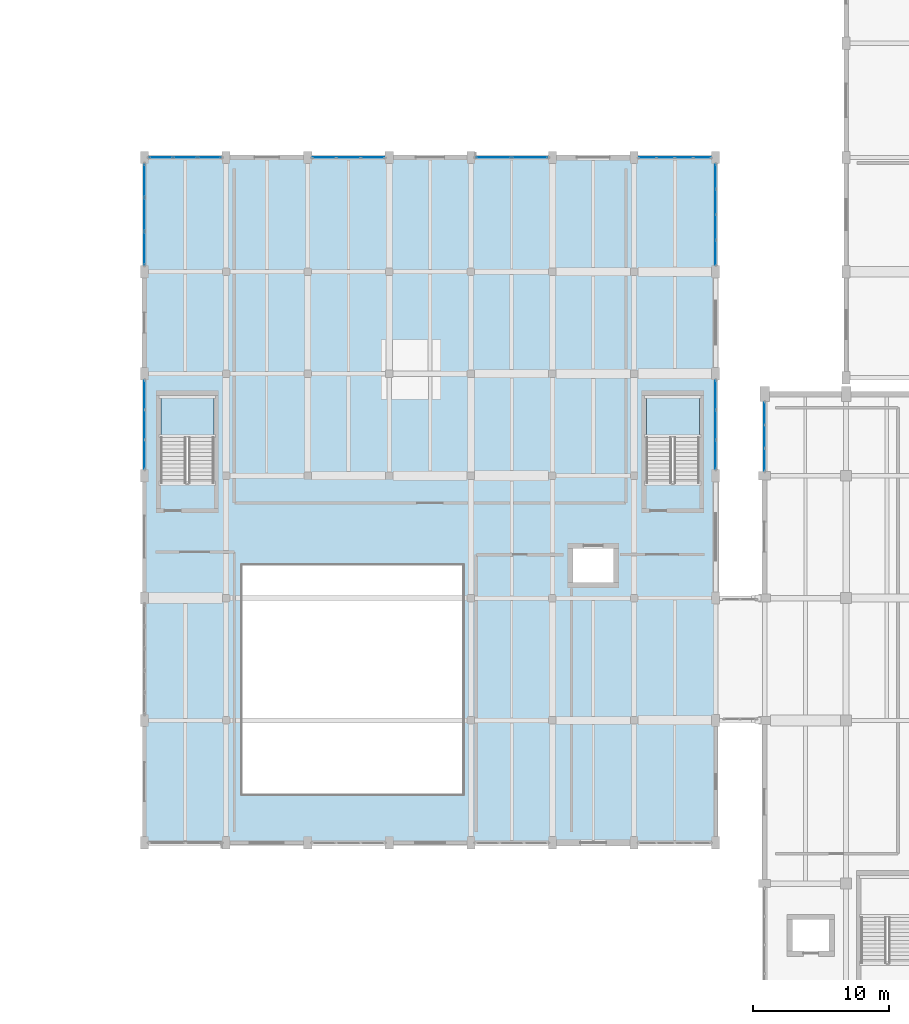
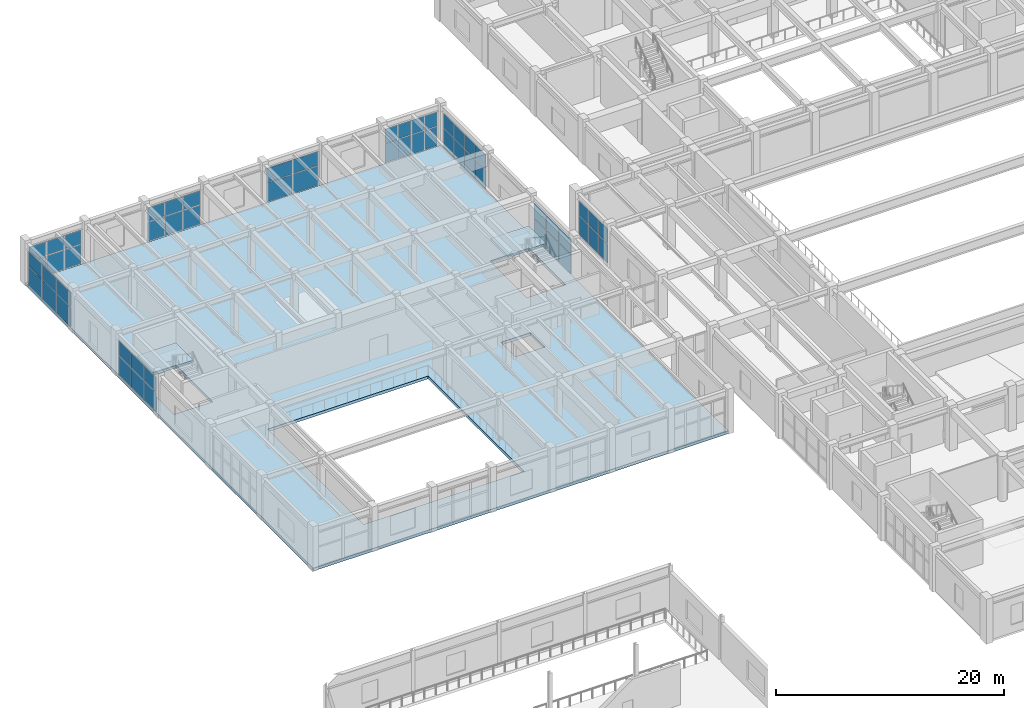
# One storey, part 64 of 96: 56 plates, 3 slabs, 11 elements without a shape of their own.
"""IFC4 building model written with IfcOpenShell, lengths in metres."""

from ifc_helpers import new_model, si_unit, direction, frame, origin, origin_2d, place, context, subcontext, project, spatial, polyline, rectangle, outline, extrude, material, layer, layer_set, type_object, element, aggregate, save


model = new_model("IFC4")

# Units and contexts
model_context = context("Model", 3, precision=1e-05, world=origin(), true_north=direction((0.0, 1.0)))
body_context = subcontext(model_context, "Body", "Model", "MODEL_VIEW")
ifc_project = project(units=[si_unit("LENGTHUNIT", "METRE"), si_unit("AREAUNIT", "SQUARE_METRE"), si_unit("VOLUMEUNIT", "CUBIC_METRE"), si_unit("PLANEANGLEUNIT", "RADIAN"), si_unit("MASSUNIT", "GRAM", prefix="KILO")], contexts=[model_context])

# Site, building, storey
site_placement = place(None, origin())
site = spatial("IfcSite", under=ifc_project, at=site_placement, CompositionType="ELEMENT")
building_placement = place(site_placement, origin())
building = spatial("IfcBuilding", under=site, at=building_placement, Name="Vaelkrest Opera House", CompositionType="ELEMENT")
storey_placement = place(building_placement, frame((0.0, 0.0, 5.39990234375)))
storey = spatial("IfcBuildingStorey", under=building, at=storey_placement, Name="L01", CompositionType="ELEMENT", Elevation=5.39990234375)

# Curtain wall, plates
ifc_material_1 = material(Name="Dark bronze anodized aluminium", Category="aluminium")
ifc_layer_1 = layer(ifc_material_1, 0.18994140625)
ifc_layer_set_1 = layer_set([ifc_layer_1], Name="Dark bronze anodized aluminium")
curtain_wall_type_1 = type_object("IfcCurtainWallType", Name="CW02", PredefinedType="NOTDEFINED", material=ifc_layer_set_1)
curtain_wall_1_placement = place(storey_placement, origin())
curtain_wall_1 = element("IfcCurtainWall", 1, at=curtain_wall_1_placement, inside=storey, type_object=curtain_wall_type_1, Name="Curtain wall CW-L01-027", PredefinedType="NOTDEFINED")
ifc_material_2 = material(Name="Double low-E insulated glazing", Category="glass")
ifc_layer_2 = layer(ifc_material_2, 0.030029296875)
ifc_layer_set_2 = layer_set([ifc_layer_2], Name="Double low-E insulated glazing")
plate_type_1 = type_object("IfcPlateType", Name="CWP02", PredefinedType="CURTAIN_PANEL", material=ifc_layer_set_2)
plate_1_placement = place(storey_placement, frame((-30.0, 11.37451171875, 0.070068359375), z_axis=(0.0, 0.0, 1.0), x_axis=(0.0, 1.0, 0.0)))
plate_1 = element("IfcPlate", 2, at=plate_1_placement, type_object=plate_type_1, Name="CW02 panel 1.1", PredefinedType="CURTAIN_PANEL", context=body_context, shape_type="SweptSolid", body=[
    extrude(rectangle(XDim=1.613037109375, YDim=0.030029296875, at=origin_2d()), origin(), (0.0, 0.0, 1.0), 2.044921875),
])
plate_2_placement = place(storey_placement, frame((-30.0, 11.37451171875, 2.18505859375), z_axis=(0.0, 0.0, 1.0), x_axis=(0.0, 1.0, 0.0)))
plate_2 = element("IfcPlate", 3, at=plate_2_placement, type_object=plate_type_1, Name="CW02 panel 1.2", PredefinedType="CURTAIN_PANEL", context=body_context, shape_type="SweptSolid", body=[
    extrude(rectangle(XDim=1.613037109375, YDim=0.030029296875, at=origin_2d()), origin(), (0.0, 0.0, 1.0), 1.569091796875),
])
plate_3_placement = place(storey_placement, frame((-30.0, 13.074951171875, 0.070068359375), z_axis=(0.0, 0.0, 1.0), x_axis=(0.0, 1.0, 0.0)))
plate_3 = element("IfcPlate", 4, at=plate_3_placement, type_object=plate_type_1, Name="CW02 panel 2.1", PredefinedType="CURTAIN_PANEL", context=body_context, shape_type="SweptSolid", body=[
    extrude(rectangle(XDim=1.64794921875, YDim=0.030029296875, at=origin_2d()), origin(), (0.0, 0.0, 1.0), 2.044921875),
])
plate_4_placement = place(storey_placement, frame((-30.0, 13.074951171875, 2.18505859375), z_axis=(0.0, 0.0, 1.0), x_axis=(0.0, 1.0, 0.0)))
plate_4 = element("IfcPlate", 5, at=plate_4_placement, type_object=plate_type_1, Name="CW02 panel 2.2", PredefinedType="CURTAIN_PANEL", context=body_context, shape_type="SweptSolid", body=[
    extrude(rectangle(XDim=1.64794921875, YDim=0.030029296875, at=origin_2d()), origin(), (0.0, 0.0, 1.0), 1.569091796875),
])
plate_5_placement = place(storey_placement, frame((-30.0, 14.775390625, 0.070068359375), z_axis=(0.0, 0.0, 1.0), x_axis=(0.0, 1.0, 0.0)))
plate_5 = element("IfcPlate", 6, at=plate_5_placement, type_object=plate_type_1, Name="CW02 panel 3.1", PredefinedType="CURTAIN_PANEL", context=body_context, shape_type="SweptSolid", body=[
    extrude(rectangle(XDim=1.613037109375, YDim=0.030029296875, at=origin_2d()), origin(), (0.0, 0.0, 1.0), 2.044921875),
])
plate_6_placement = place(storey_placement, frame((-30.0, 14.775390625, 2.18505859375), z_axis=(0.0, 0.0, 1.0), x_axis=(0.0, 1.0, 0.0)))
plate_6 = element("IfcPlate", 7, at=plate_6_placement, type_object=plate_type_1, Name="CW02 panel 3.2", PredefinedType="CURTAIN_PANEL", context=body_context, shape_type="SweptSolid", body=[
    extrude(rectangle(XDim=1.613037109375, YDim=0.030029296875, at=origin_2d()), origin(), (0.0, 0.0, 1.0), 1.569091796875),
])
aggregate(curtain_wall_1, [plate_1, plate_2, plate_3, plate_4, plate_5, plate_6])

curtain_wall_2_placement = place(storey_placement, origin())
curtain_wall_2 = element("IfcCurtainWall", 8, at=curtain_wall_2_placement, inside=storey, type_object=curtain_wall_type_1, Name="Curtain wall CW-L01-109", PredefinedType="NOTDEFINED")
plate_7_placement = place(storey_placement, frame((-38.60888671875, 33.60009765625, 0.070068359375), z_axis=(0.0, 0.0, 1.0), x_axis=(1.0, 0.0, 0.0)))
plate_7 = element("IfcPlate", 9, at=plate_7_placement, type_object=plate_type_1, Name="CW02 panel 1.1", PredefinedType="CURTAIN_PANEL", context=body_context, shape_type="SweptSolid", body=[
    extrude(rectangle(XDim=1.24609375, YDim=0.030029296875, at=origin_2d()), origin(), (0.0, 0.0, 1.0), 2.044921875),
])
plate_8_placement = place(storey_placement, frame((-38.60888671875, 33.60009765625, 2.18505859375), z_axis=(0.0, 0.0, 1.0), x_axis=(1.0, 0.0, 0.0)))
plate_8 = element("IfcPlate", 10, at=plate_8_placement, type_object=plate_type_1, Name="CW02 panel 1.2", PredefinedType="CURTAIN_PANEL", context=body_context, shape_type="SweptSolid", body=[
    extrude(rectangle(XDim=1.24609375, YDim=0.030029296875, at=origin_2d()), origin(), (0.0, 0.0, 1.0), 1.485107421875),
])
plate_9_placement = place(storey_placement, frame((-37.275390625, 33.60009765625, 0.070068359375), z_axis=(0.0, 0.0, 1.0), x_axis=(1.0, 0.0, 0.0)))
plate_9 = element("IfcPlate", 11, at=plate_9_placement, type_object=plate_type_1, Name="CW02 panel 2.1", PredefinedType="CURTAIN_PANEL", context=body_context, shape_type="SweptSolid", body=[
    extrude(rectangle(XDim=1.281005859375, YDim=0.030029296875, at=origin_2d()), origin(), (0.0, 0.0, 1.0), 2.044921875),
])
plate_10_placement = place(storey_placement, frame((-37.275390625, 33.60009765625, 2.18505859375), z_axis=(0.0, 0.0, 1.0), x_axis=(1.0, 0.0, 0.0)))
plate_10 = element("IfcPlate", 12, at=plate_10_placement, type_object=plate_type_1, Name="CW02 panel 2.2", PredefinedType="CURTAIN_PANEL", context=body_context, shape_type="SweptSolid", body=[
    extrude(rectangle(XDim=1.281005859375, YDim=0.030029296875, at=origin_2d()), origin(), (0.0, 0.0, 1.0), 1.485107421875),
])
plate_11_placement = place(storey_placement, frame((-35.924560546875, 33.60009765625, 0.070068359375), z_axis=(0.0, 0.0, 1.0), x_axis=(1.0, 0.0, 0.0)))
plate_11 = element("IfcPlate", 13, at=plate_11_placement, type_object=plate_type_1, Name="CW02 panel 3.1", PredefinedType="CURTAIN_PANEL", context=body_context, shape_type="SweptSolid", body=[
    extrude(rectangle(XDim=1.281005859375, YDim=0.030029296875, at=origin_2d()), origin(), (0.0, 0.0, 1.0), 2.044921875),
])
plate_12_placement = place(storey_placement, frame((-35.924560546875, 33.60009765625, 2.18505859375), z_axis=(0.0, 0.0, 1.0), x_axis=(1.0, 0.0, 0.0)))
plate_12 = element("IfcPlate", 14, at=plate_12_placement, type_object=plate_type_1, Name="CW02 panel 3.2", PredefinedType="CURTAIN_PANEL", context=body_context, shape_type="SweptSolid", body=[
    extrude(rectangle(XDim=1.281005859375, YDim=0.030029296875, at=origin_2d()), origin(), (0.0, 0.0, 1.0), 1.485107421875),
])
plate_13_placement = place(storey_placement, frame((-34.591064453125, 33.60009765625, 0.070068359375), z_axis=(0.0, 0.0, 1.0), x_axis=(1.0, 0.0, 0.0)))
plate_13 = element("IfcPlate", 15, at=plate_13_placement, type_object=plate_type_1, Name="CW02 panel 4.1", PredefinedType="CURTAIN_PANEL", context=body_context, shape_type="SweptSolid", body=[
    extrude(rectangle(XDim=1.24609375, YDim=0.030029296875, at=origin_2d()), origin(), (0.0, 0.0, 1.0), 2.044921875),
])
plate_14_placement = place(storey_placement, frame((-34.591064453125, 33.60009765625, 2.18505859375), z_axis=(0.0, 0.0, 1.0), x_axis=(1.0, 0.0, 0.0)))
plate_14 = element("IfcPlate", 16, at=plate_14_placement, type_object=plate_type_1, Name="CW02 panel 4.2", PredefinedType="CURTAIN_PANEL", context=body_context, shape_type="SweptSolid", body=[
    extrude(rectangle(XDim=1.24609375, YDim=0.030029296875, at=origin_2d()), origin(), (0.0, 0.0, 1.0), 1.485107421875),
])
aggregate(curtain_wall_2, [plate_7, plate_8, plate_9, plate_10, plate_11, plate_12, plate_13, plate_14])

ifc_layer_3 = layer(ifc_material_1, 0.2099609375)
ifc_layer_set_3 = layer_set([ifc_layer_3], Name="Dark bronze anodized aluminium")
curtain_wall_type_2 = type_object("IfcCurtainWallType", Name="CW04", PredefinedType="NOTDEFINED", material=ifc_layer_set_3)
curtain_wall_3_placement = place(storey_placement, origin())
curtain_wall_3 = element("IfcCurtainWall", 17, at=curtain_wall_3_placement, inside=storey, type_object=curtain_wall_type_2, Name="Curtain wall CW-L01-106", PredefinedType="NOTDEFINED")
ifc_layer_4 = layer(ifc_material_2, 0.0380859375)
ifc_layer_set_4 = layer_set([ifc_layer_4], Name="Double low-E insulated glazing")
plate_type_2 = type_object("IfcPlateType", Name="CWP04", PredefinedType="CURTAIN_PANEL", material=ifc_layer_set_4)
plate_15_placement = place(storey_placement, frame((-74.38134765625, 33.60009765625, 0.080078125), z_axis=(0.0, 0.0, 1.0), x_axis=(1.0, 0.0, 0.0)))
plate_15 = element("IfcPlate", 18, at=plate_15_placement, type_object=plate_type_2, Name="CW04 panel 1.1", PredefinedType="CURTAIN_PANEL", context=body_context, shape_type="SweptSolid", body=[
    extrude(rectangle(XDim=1.681396484375, YDim=0.0380859375, at=origin_2d()), origin(), (0.0, 0.0, 1.0), 2.030029296875),
])
plate_16_placement = place(storey_placement, frame((-74.38134765625, 33.60009765625, 2.18994140625), z_axis=(0.0, 0.0, 1.0), x_axis=(1.0, 0.0, 0.0)))
plate_16 = element("IfcPlate", 19, at=plate_16_placement, type_object=plate_type_2, Name="CW04 panel 1.2", PredefinedType="CURTAIN_PANEL", context=body_context, shape_type="SweptSolid", body=[
    extrude(rectangle(XDim=1.681396484375, YDim=0.0380859375, at=origin_2d()), origin(), (0.0, 0.0, 1.0), 1.469970703125),
])
plate_17_placement = place(storey_placement, frame((-72.60009765625, 33.60009765625, 0.080078125), z_axis=(0.0, 0.0, 1.0), x_axis=(1.0, 0.0, 0.0)))
plate_17 = element("IfcPlate", 20, at=plate_17_placement, type_object=plate_type_2, Name="CW04 panel 2.1", PredefinedType="CURTAIN_PANEL", context=body_context, shape_type="SweptSolid", body=[
    extrude(rectangle(XDim=1.721435546875, YDim=0.0380859375, at=origin_2d()), origin(), (0.0, 0.0, 1.0), 2.030029296875),
])
plate_18_placement = place(storey_placement, frame((-72.60009765625, 33.60009765625, 2.18994140625), z_axis=(0.0, 0.0, 1.0), x_axis=(1.0, 0.0, 0.0)))
plate_18 = element("IfcPlate", 21, at=plate_18_placement, type_object=plate_type_2, Name="CW04 panel 2.2", PredefinedType="CURTAIN_PANEL", context=body_context, shape_type="SweptSolid", body=[
    extrude(rectangle(XDim=1.721435546875, YDim=0.0380859375, at=origin_2d()), origin(), (0.0, 0.0, 1.0), 1.469970703125),
])
plate_19_placement = place(storey_placement, frame((-70.818603515625, 33.60009765625, 0.080078125), z_axis=(0.0, 0.0, 1.0), x_axis=(1.0, 0.0, 0.0)))
plate_19 = element("IfcPlate", 22, at=plate_19_placement, type_object=plate_type_2, Name="CW04 panel 3.1", PredefinedType="CURTAIN_PANEL", context=body_context, shape_type="SweptSolid", body=[
    extrude(rectangle(XDim=1.681396484375, YDim=0.0380859375, at=origin_2d()), origin(), (0.0, 0.0, 1.0), 2.030029296875),
])
plate_20_placement = place(storey_placement, frame((-70.818603515625, 33.60009765625, 2.18994140625), z_axis=(0.0, 0.0, 1.0), x_axis=(1.0, 0.0, 0.0)))
plate_20 = element("IfcPlate", 23, at=plate_20_placement, type_object=plate_type_2, Name="CW04 panel 3.2", PredefinedType="CURTAIN_PANEL", context=body_context, shape_type="SweptSolid", body=[
    extrude(rectangle(XDim=1.681396484375, YDim=0.0380859375, at=origin_2d()), origin(), (0.0, 0.0, 1.0), 1.469970703125),
])
aggregate(curtain_wall_3, [plate_15, plate_16, plate_17, plate_18, plate_19, plate_20])

ifc_layer_5 = layer(ifc_material_1, 0.219970703125)
ifc_layer_set_5 = layer_set([ifc_layer_5], Name="Dark bronze anodized aluminium")
curtain_wall_type_3 = type_object("IfcCurtainWallType", Name="CW05", PredefinedType="NOTDEFINED", material=ifc_layer_set_5)
curtain_wall_4_placement = place(storey_placement, origin())
curtain_wall_4 = element("IfcCurtainWall", 24, at=curtain_wall_4_placement, inside=storey, type_object=curtain_wall_type_3, Name="Curtain wall CW-L01-110", PredefinedType="NOTDEFINED")
ifc_layer_6 = layer(ifc_material_2, 0.0419921875)
ifc_layer_set_6 = layer_set([ifc_layer_6], Name="Double low-E insulated glazing")
plate_type_3 = type_object("IfcPlateType", Name="CWP05", PredefinedType="CURTAIN_PANEL", material=ifc_layer_set_6)
plate_21_placement = place(storey_placement, frame((-33.60009765625, 32.19775390625, 0.074951171875), z_axis=(0.0, 0.0, 1.0), x_axis=(0.0, -1.0, 0.0)))
plate_21 = element("IfcPlate", 25, at=plate_21_placement, type_object=plate_type_3, Name="CW05 panel 1.1", PredefinedType="CURTAIN_PANEL", context=body_context, shape_type="SweptSolid", body=[
    extrude(rectangle(XDim=1.778564453125, YDim=0.0419921875, at=origin_2d()), origin(), (0.0, 0.0, 1.0), 2.03759765625),
])
plate_22_placement = place(storey_placement, frame((-33.60009765625, 32.19775390625, 2.1875), z_axis=(0.0, 0.0, 1.0), x_axis=(0.0, -1.0, 0.0)))
plate_22 = element("IfcPlate", 26, at=plate_22_placement, type_object=plate_type_3, Name="CW05 panel 1.2", PredefinedType="CURTAIN_PANEL", context=body_context, shape_type="SweptSolid", body=[
    extrude(rectangle(XDim=1.778564453125, YDim=0.0419921875, at=origin_2d()), origin(), (0.0, 0.0, 1.0), 1.5615234375),
])
plate_23_placement = place(storey_placement, frame((-33.60009765625, 30.337890625, 0.074951171875), z_axis=(0.0, 0.0, 1.0), x_axis=(0.0, -1.0, 0.0)))
plate_23 = element("IfcPlate", 27, at=plate_23_placement, type_object=plate_type_3, Name="CW05 panel 2.1", PredefinedType="CURTAIN_PANEL", context=body_context, shape_type="SweptSolid", body=[
    extrude(rectangle(XDim=1.81103515625, YDim=0.0419921875, at=origin_2d()), origin(), (0.0, 0.0, 1.0), 2.03759765625),
])
plate_24_placement = place(storey_placement, frame((-33.60009765625, 30.337890625, 2.1875), z_axis=(0.0, 0.0, 1.0), x_axis=(0.0, -1.0, 0.0)))
plate_24 = element("IfcPlate", 28, at=plate_24_placement, type_object=plate_type_3, Name="CW05 panel 2.2", PredefinedType="CURTAIN_PANEL", context=body_context, shape_type="SweptSolid", body=[
    extrude(rectangle(XDim=1.81103515625, YDim=0.0419921875, at=origin_2d()), origin(), (0.0, 0.0, 1.0), 1.5615234375),
])
plate_25_placement = place(storey_placement, frame((-33.60009765625, 28.4619140625, 0.074951171875), z_axis=(0.0, 0.0, 1.0), x_axis=(0.0, -1.0, 0.0)))
plate_25 = element("IfcPlate", 29, at=plate_25_placement, type_object=plate_type_3, Name="CW05 panel 3.1", PredefinedType="CURTAIN_PANEL", context=body_context, shape_type="SweptSolid", body=[
    extrude(rectangle(XDim=1.81103515625, YDim=0.0419921875, at=origin_2d()), origin(), (0.0, 0.0, 1.0), 2.03759765625),
])
plate_26_placement = place(storey_placement, frame((-33.60009765625, 28.4619140625, 2.1875), z_axis=(0.0, 0.0, 1.0), x_axis=(0.0, -1.0, 0.0)))
plate_26 = element("IfcPlate", 30, at=plate_26_placement, type_object=plate_type_3, Name="CW05 panel 3.2", PredefinedType="CURTAIN_PANEL", context=body_context, shape_type="SweptSolid", body=[
    extrude(rectangle(XDim=1.81103515625, YDim=0.0419921875, at=origin_2d()), origin(), (0.0, 0.0, 1.0), 1.5615234375),
])
plate_27_placement = place(storey_placement, frame((-33.60009765625, 26.602294921875, 0.074951171875), z_axis=(0.0, 0.0, 1.0), x_axis=(0.0, -1.0, 0.0)))
plate_27 = element("IfcPlate", 31, at=plate_27_placement, type_object=plate_type_3, Name="CW05 panel 4.1", PredefinedType="CURTAIN_PANEL", context=body_context, shape_type="SweptSolid", body=[
    extrude(rectangle(XDim=1.778564453125, YDim=0.0419921875, at=origin_2d()), origin(), (0.0, 0.0, 1.0), 2.03759765625),
])
plate_28_placement = place(storey_placement, frame((-33.60009765625, 26.602294921875, 2.1875), z_axis=(0.0, 0.0, 1.0), x_axis=(0.0, -1.0, 0.0)))
plate_28 = element("IfcPlate", 32, at=plate_28_placement, type_object=plate_type_3, Name="CW05 panel 4.2", PredefinedType="CURTAIN_PANEL", context=body_context, shape_type="SweptSolid", body=[
    extrude(rectangle(XDim=1.778564453125, YDim=0.0419921875, at=origin_2d()), origin(), (0.0, 0.0, 1.0), 1.5615234375),
])
aggregate(curtain_wall_4, [plate_21, plate_22, plate_23, plate_24, plate_25, plate_26, plate_27, plate_28])

ifc_layer_7 = layer(ifc_material_1, 0.22998046875)
ifc_layer_set_7 = layer_set([ifc_layer_7], Name="Dark bronze anodized aluminium")
curtain_wall_type_4 = type_object("IfcCurtainWallType", Name="CW06", PredefinedType="NOTDEFINED", material=ifc_layer_set_7)
curtain_wall_5_placement = place(storey_placement, origin())
curtain_wall_5 = element("IfcCurtainWall", 33, at=curtain_wall_5_placement, inside=storey, type_object=curtain_wall_type_4, Name="Curtain wall CW-L01-104", PredefinedType="NOTDEFINED")
ifc_material_3 = material(Name="Dark bronze anodized aluminium spandrel", Category="aluminium")
ifc_layer_8 = layer(ifc_material_3, 0.0458984375)
ifc_layer_set_8 = layer_set([ifc_layer_8], Name="Dark bronze anodized aluminium spandrel")
plate_type_4 = type_object("IfcPlateType", Name="CWP06", PredefinedType="CURTAIN_PANEL", material=ifc_layer_set_8)
plate_29_placement = place(storey_placement, frame((-75.60009765625, 11.76611328125, 0.080078125), z_axis=(0.0, 0.0, 1.0), x_axis=(0.0, 1.0, 0.0)))
plate_29 = element("IfcPlate", 34, at=plate_29_placement, type_object=plate_type_4, Name="CW06 panel 1.1", PredefinedType="CURTAIN_PANEL", context=body_context, shape_type="SweptSolid", body=[
    extrude(rectangle(XDim=2.096435546875, YDim=0.0458984375, at=origin_2d()), origin(), (0.0, 0.0, 1.0), 2.030029296875),
])
plate_30_placement = place(storey_placement, frame((-75.60009765625, 11.76611328125, 2.18994140625), z_axis=(0.0, 0.0, 1.0), x_axis=(0.0, 1.0, 0.0)))
plate_30 = element("IfcPlate", 35, at=plate_30_placement, type_object=plate_type_4, Name="CW06 panel 1.2", PredefinedType="CURTAIN_PANEL", context=body_context, shape_type="SweptSolid", body=[
    extrude(rectangle(XDim=2.096435546875, YDim=0.0458984375, at=origin_2d()), origin(), (0.0, 0.0, 1.0), 1.553955078125),
])
plate_31_placement = place(storey_placement, frame((-75.60009765625, 13.949951171875, 0.080078125), z_axis=(0.0, 0.0, 1.0), x_axis=(0.0, 1.0, 0.0)))
plate_31 = element("IfcPlate", 36, at=plate_31_placement, type_object=plate_type_4, Name="CW06 panel 2.1", PredefinedType="CURTAIN_PANEL", context=body_context, shape_type="SweptSolid", body=[
    extrude(rectangle(XDim=2.13134765625, YDim=0.0458984375, at=origin_2d()), origin(), (0.0, 0.0, 1.0), 2.030029296875),
])
plate_32_placement = place(storey_placement, frame((-75.60009765625, 13.949951171875, 2.18994140625), z_axis=(0.0, 0.0, 1.0), x_axis=(0.0, 1.0, 0.0)))
plate_32 = element("IfcPlate", 37, at=plate_32_placement, type_object=plate_type_4, Name="CW06 panel 2.2", PredefinedType="CURTAIN_PANEL", context=body_context, shape_type="SweptSolid", body=[
    extrude(rectangle(XDim=2.13134765625, YDim=0.0458984375, at=origin_2d()), origin(), (0.0, 0.0, 1.0), 1.553955078125),
])
plate_33_placement = place(storey_placement, frame((-75.60009765625, 16.1337890625, 0.080078125), z_axis=(0.0, 0.0, 1.0), x_axis=(0.0, 1.0, 0.0)))
plate_33 = element("IfcPlate", 38, at=plate_33_placement, type_object=plate_type_4, Name="CW06 panel 3.1", PredefinedType="CURTAIN_PANEL", context=body_context, shape_type="SweptSolid", body=[
    extrude(rectangle(XDim=2.096435546875, YDim=0.0458984375, at=origin_2d()), origin(), (0.0, 0.0, 1.0), 2.030029296875),
])
plate_34_placement = place(storey_placement, frame((-75.60009765625, 16.1337890625, 2.18994140625), z_axis=(0.0, 0.0, 1.0), x_axis=(0.0, 1.0, 0.0)))
plate_34 = element("IfcPlate", 39, at=plate_34_placement, type_object=plate_type_4, Name="CW06 panel 3.2", PredefinedType="CURTAIN_PANEL", context=body_context, shape_type="SweptSolid", body=[
    extrude(rectangle(XDim=2.096435546875, YDim=0.0458984375, at=origin_2d()), origin(), (0.0, 0.0, 1.0), 1.553955078125),
])
aggregate(curtain_wall_5, [plate_29, plate_30, plate_31, plate_32, plate_33, plate_34])

curtain_wall_6_placement = place(storey_placement, origin())
curtain_wall_6 = element("IfcCurtainWall", 40, at=curtain_wall_6_placement, inside=storey, type_object=curtain_wall_type_4, Name="Curtain wall CW-L01-107", PredefinedType="NOTDEFINED")
plate_35_placement = place(storey_placement, frame((-62.3837890625, 33.60009765625, 0.080078125), z_axis=(0.0, 0.0, 1.0), x_axis=(1.0, 0.0, 0.0)))
plate_35 = element("IfcPlate", 41, at=plate_35_placement, type_object=plate_type_4, Name="CW06 panel 1.1", PredefinedType="CURTAIN_PANEL", context=body_context, shape_type="SweptSolid", body=[
    extrude(rectangle(XDim=1.6962890625, YDim=0.0458984375, at=origin_2d()), origin(), (0.0, 0.0, 1.0), 2.030029296875),
])
plate_36_placement = place(storey_placement, frame((-62.3837890625, 33.60009765625, 2.18994140625), z_axis=(0.0, 0.0, 1.0), x_axis=(1.0, 0.0, 0.0)))
plate_36 = element("IfcPlate", 42, at=plate_36_placement, type_object=plate_type_4, Name="CW06 panel 1.2", PredefinedType="CURTAIN_PANEL", context=body_context, shape_type="SweptSolid", body=[
    extrude(rectangle(XDim=1.6962890625, YDim=0.0458984375, at=origin_2d()), origin(), (0.0, 0.0, 1.0), 1.469970703125),
])
plate_37_placement = place(storey_placement, frame((-60.60009765625, 33.60009765625, 0.080078125), z_axis=(0.0, 0.0, 1.0), x_axis=(1.0, 0.0, 0.0)))
plate_37 = element("IfcPlate", 43, at=plate_37_placement, type_object=plate_type_4, Name="CW06 panel 2.1", PredefinedType="CURTAIN_PANEL", context=body_context, shape_type="SweptSolid", body=[
    extrude(rectangle(XDim=1.7314453125, YDim=0.0458984375, at=origin_2d()), origin(), (0.0, 0.0, 1.0), 2.030029296875),
])
plate_38_placement = place(storey_placement, frame((-60.60009765625, 33.60009765625, 2.18994140625), z_axis=(0.0, 0.0, 1.0), x_axis=(1.0, 0.0, 0.0)))
plate_38 = element("IfcPlate", 44, at=plate_38_placement, type_object=plate_type_4, Name="CW06 panel 2.2", PredefinedType="CURTAIN_PANEL", context=body_context, shape_type="SweptSolid", body=[
    extrude(rectangle(XDim=1.7314453125, YDim=0.0458984375, at=origin_2d()), origin(), (0.0, 0.0, 1.0), 1.469970703125),
])
plate_39_placement = place(storey_placement, frame((-58.816162109375, 33.60009765625, 0.080078125), z_axis=(0.0, 0.0, 1.0), x_axis=(1.0, 0.0, 0.0)))
plate_39 = element("IfcPlate", 45, at=plate_39_placement, type_object=plate_type_4, Name="CW06 panel 3.1", PredefinedType="CURTAIN_PANEL", context=body_context, shape_type="SweptSolid", body=[
    extrude(rectangle(XDim=1.6962890625, YDim=0.0458984375, at=origin_2d()), origin(), (0.0, 0.0, 1.0), 2.030029296875),
])
plate_40_placement = place(storey_placement, frame((-58.816162109375, 33.60009765625, 2.18994140625), z_axis=(0.0, 0.0, 1.0), x_axis=(1.0, 0.0, 0.0)))
plate_40 = element("IfcPlate", 46, at=plate_40_placement, type_object=plate_type_4, Name="CW06 panel 3.2", PredefinedType="CURTAIN_PANEL", context=body_context, shape_type="SweptSolid", body=[
    extrude(rectangle(XDim=1.6962890625, YDim=0.0458984375, at=origin_2d()), origin(), (0.0, 0.0, 1.0), 1.469970703125),
])
aggregate(curtain_wall_6, [plate_35, plate_36, plate_37, plate_38, plate_39, plate_40])

ifc_layer_9 = layer(ifc_material_1, 0.239990234375)
ifc_layer_set_9 = layer_set([ifc_layer_9], Name="Dark bronze anodized aluminium")
curtain_wall_type_5 = type_object("IfcCurtainWallType", Name="CW07", PredefinedType="NOTDEFINED", material=ifc_layer_set_9)
curtain_wall_7_placement = place(storey_placement, origin())
curtain_wall_7 = element("IfcCurtainWall", 47, at=curtain_wall_7_placement, inside=storey, type_object=curtain_wall_type_5, Name="Curtain wall CW-L01-111", PredefinedType="NOTDEFINED")
ifc_layer_10 = layer(ifc_material_3, 0.052001953125)
ifc_layer_set_10 = layer_set([ifc_layer_10], Name="Dark bronze anodized aluminium spandrel")
plate_type_5 = type_object("IfcPlateType", Name="CWP07", PredefinedType="CURTAIN_PANEL", material=ifc_layer_set_10)
plate_41_placement = place(storey_placement, frame((-33.60009765625, 16.132568359375, 0.06494140625), z_axis=(0.0, 0.0, 1.0), x_axis=(0.0, -1.0, 0.0)))
plate_41 = element("IfcPlate", 48, at=plate_41_placement, type_object=plate_type_5, Name="CW07 panel 1.1", PredefinedType="CURTAIN_PANEL", context=body_context, shape_type="SweptSolid", body=[
    extrude(rectangle(XDim=2.0888671875, YDim=0.052001953125, at=origin_2d()), origin(), (0.0, 0.0, 1.0), 2.052490234375),
])
plate_42_placement = place(storey_placement, frame((-33.60009765625, 16.132568359375, 2.1826171875), z_axis=(0.0, 0.0, 1.0), x_axis=(0.0, -1.0, 0.0)))
plate_42 = element("IfcPlate", 49, at=plate_42_placement, type_object=plate_type_5, Name="CW07 panel 1.2", PredefinedType="CURTAIN_PANEL", context=body_context, shape_type="SweptSolid", body=[
    extrude(rectangle(XDim=2.0888671875, YDim=0.052001953125, at=origin_2d()), origin(), (0.0, 0.0, 1.0), 1.576416015625),
])
plate_43_placement = place(storey_placement, frame((-33.60009765625, 13.949951171875, 0.06494140625), z_axis=(0.0, 0.0, 1.0), x_axis=(0.0, -1.0, 0.0)))
plate_43 = element("IfcPlate", 50, at=plate_43_placement, type_object=plate_type_5, Name="CW07 panel 2.1", PredefinedType="CURTAIN_PANEL", context=body_context, shape_type="SweptSolid", body=[
    extrude(rectangle(XDim=2.126220703125, YDim=0.052001953125, at=origin_2d()), origin(), (0.0, 0.0, 1.0), 2.052490234375),
])
plate_44_placement = place(storey_placement, frame((-33.60009765625, 13.949951171875, 2.1826171875), z_axis=(0.0, 0.0, 1.0), x_axis=(0.0, -1.0, 0.0)))
plate_44 = element("IfcPlate", 51, at=plate_44_placement, type_object=plate_type_5, Name="CW07 panel 2.2", PredefinedType="CURTAIN_PANEL", context=body_context, shape_type="SweptSolid", body=[
    extrude(rectangle(XDim=2.126220703125, YDim=0.052001953125, at=origin_2d()), origin(), (0.0, 0.0, 1.0), 1.576416015625),
])
plate_45_placement = place(storey_placement, frame((-33.60009765625, 11.767333984375, 0.06494140625), z_axis=(0.0, 0.0, 1.0), x_axis=(0.0, -1.0, 0.0)))
plate_45 = element("IfcPlate", 52, at=plate_45_placement, type_object=plate_type_5, Name="CW07 panel 3.1", PredefinedType="CURTAIN_PANEL", context=body_context, shape_type="SweptSolid", body=[
    extrude(rectangle(XDim=2.0888671875, YDim=0.052001953125, at=origin_2d()), origin(), (0.0, 0.0, 1.0), 2.052490234375),
])
plate_46_placement = place(storey_placement, frame((-33.60009765625, 11.767333984375, 2.1826171875), z_axis=(0.0, 0.0, 1.0), x_axis=(0.0, -1.0, 0.0)))
plate_46 = element("IfcPlate", 53, at=plate_46_placement, type_object=plate_type_5, Name="CW07 panel 3.2", PredefinedType="CURTAIN_PANEL", context=body_context, shape_type="SweptSolid", body=[
    extrude(rectangle(XDim=2.0888671875, YDim=0.052001953125, at=origin_2d()), origin(), (0.0, 0.0, 1.0), 1.576416015625),
])
aggregate(curtain_wall_7, [plate_41, plate_42, plate_43, plate_44, plate_45, plate_46])

ifc_layer_11 = layer(ifc_material_1, 0.25)
ifc_layer_set_11 = layer_set([ifc_layer_11], Name="Dark bronze anodized aluminium")
curtain_wall_type_6 = type_object("IfcCurtainWallType", Name="CW08", PredefinedType="NOTDEFINED", material=ifc_layer_set_11)
curtain_wall_8_placement = place(storey_placement, origin())
curtain_wall_8 = element("IfcCurtainWall", 54, at=curtain_wall_8_placement, inside=storey, type_object=curtain_wall_type_6, Name="Curtain wall CW-L01-105", PredefinedType="NOTDEFINED")
ifc_layer_12 = layer(ifc_material_3, 0.05810546875)
ifc_layer_set_12 = layer_set([ifc_layer_12], Name="Dark bronze anodized aluminium spandrel")
plate_type_6 = type_object("IfcPlateType", Name="CWP08", PredefinedType="CURTAIN_PANEL", material=ifc_layer_set_12)
plate_47_placement = place(storey_placement, frame((-75.60009765625, 26.918701171875, 0.070068359375), z_axis=(0.0, 0.0, 1.0), x_axis=(0.0, 1.0, 0.0)))
plate_47 = element("IfcPlate", 55, at=plate_47_placement, type_object=plate_type_6, Name="CW08 panel 1.1", PredefinedType="CURTAIN_PANEL", context=body_context, shape_type="SweptSolid", body=[
    extrude(rectangle(XDim=2.38134765625, YDim=0.05810546875, at=origin_2d()), origin(), (0.0, 0.0, 1.0), 2.044921875),
])
plate_48_placement = place(storey_placement, frame((-75.60009765625, 26.918701171875, 2.18505859375), z_axis=(0.0, 0.0, 1.0), x_axis=(0.0, 1.0, 0.0)))
plate_48 = element("IfcPlate", 56, at=plate_48_placement, type_object=plate_type_6, Name="CW08 panel 1.2", PredefinedType="CURTAIN_PANEL", context=body_context, shape_type="SweptSolid", body=[
    extrude(rectangle(XDim=2.38134765625, YDim=0.05810546875, at=origin_2d()), origin(), (0.0, 0.0, 1.0), 1.569091796875),
])
plate_49_placement = place(storey_placement, frame((-75.60009765625, 29.39990234375, 0.070068359375), z_axis=(0.0, 0.0, 1.0), x_axis=(0.0, 1.0, 0.0)))
plate_49 = element("IfcPlate", 57, at=plate_49_placement, type_object=plate_type_6, Name="CW08 panel 2.1", PredefinedType="CURTAIN_PANEL", context=body_context, shape_type="SweptSolid", body=[
    extrude(rectangle(XDim=2.42138671875, YDim=0.05810546875, at=origin_2d()), origin(), (0.0, 0.0, 1.0), 2.044921875),
])
plate_50_placement = place(storey_placement, frame((-75.60009765625, 29.39990234375, 2.18505859375), z_axis=(0.0, 0.0, 1.0), x_axis=(0.0, 1.0, 0.0)))
plate_50 = element("IfcPlate", 58, at=plate_50_placement, type_object=plate_type_6, Name="CW08 panel 2.2", PredefinedType="CURTAIN_PANEL", context=body_context, shape_type="SweptSolid", body=[
    extrude(rectangle(XDim=2.42138671875, YDim=0.05810546875, at=origin_2d()), origin(), (0.0, 0.0, 1.0), 1.569091796875),
])
plate_51_placement = place(storey_placement, frame((-75.60009765625, 31.88134765625, 0.070068359375), z_axis=(0.0, 0.0, 1.0), x_axis=(0.0, 1.0, 0.0)))
plate_51 = element("IfcPlate", 59, at=plate_51_placement, type_object=plate_type_6, Name="CW08 panel 3.1", PredefinedType="CURTAIN_PANEL", context=body_context, shape_type="SweptSolid", body=[
    extrude(rectangle(XDim=2.38134765625, YDim=0.05810546875, at=origin_2d()), origin(), (0.0, 0.0, 1.0), 2.044921875),
])
plate_52_placement = place(storey_placement, frame((-75.60009765625, 31.88134765625, 2.18505859375), z_axis=(0.0, 0.0, 1.0), x_axis=(0.0, 1.0, 0.0)))
plate_52 = element("IfcPlate", 60, at=plate_52_placement, type_object=plate_type_6, Name="CW08 panel 3.2", PredefinedType="CURTAIN_PANEL", context=body_context, shape_type="SweptSolid", body=[
    extrude(rectangle(XDim=2.38134765625, YDim=0.05810546875, at=origin_2d()), origin(), (0.0, 0.0, 1.0), 1.569091796875),
])
aggregate(curtain_wall_8, [plate_47, plate_48, plate_49, plate_50, plate_51, plate_52])

curtain_wall_9_placement = place(storey_placement, origin())
curtain_wall_9 = element("IfcCurtainWall", 61, at=curtain_wall_9_placement, inside=storey, type_object=curtain_wall_type_6, Name="Curtain wall CW-L01-108", PredefinedType="NOTDEFINED")
plate_53_placement = place(storey_placement, frame((-49.930908203125, 33.60009765625, 0.070068359375), z_axis=(0.0, 0.0, 1.0), x_axis=(1.0, 0.0, 0.0)))
plate_53 = element("IfcPlate", 62, at=plate_53_placement, type_object=plate_type_6, Name="CW08 panel 1.1", PredefinedType="CURTAIN_PANEL", context=body_context, shape_type="SweptSolid", body=[
    extrude(rectangle(XDim=2.58203125, YDim=0.05810546875, at=origin_2d()), origin(), (0.0, 0.0, 1.0), 2.044921875),
])
plate_54_placement = place(storey_placement, frame((-49.930908203125, 33.60009765625, 2.18505859375), z_axis=(0.0, 0.0, 1.0), x_axis=(1.0, 0.0, 0.0)))
plate_54 = element("IfcPlate", 63, at=plate_54_placement, type_object=plate_type_6, Name="CW08 panel 1.2", PredefinedType="CURTAIN_PANEL", context=body_context, shape_type="SweptSolid", body=[
    extrude(rectangle(XDim=2.58203125, YDim=0.05810546875, at=origin_2d()), origin(), (0.0, 0.0, 1.0), 1.485107421875),
])
plate_55_placement = place(storey_placement, frame((-47.26904296875, 33.60009765625, 0.070068359375), z_axis=(0.0, 0.0, 1.0), x_axis=(1.0, 0.0, 0.0)))
plate_55 = element("IfcPlate", 64, at=plate_55_placement, type_object=plate_type_6, Name="CW08 panel 2.1", PredefinedType="CURTAIN_PANEL", context=body_context, shape_type="SweptSolid", body=[
    extrude(rectangle(XDim=2.58203125, YDim=0.05810546875, at=origin_2d()), origin(), (0.0, 0.0, 1.0), 2.044921875),
])
plate_56_placement = place(storey_placement, frame((-47.26904296875, 33.60009765625, 2.18505859375), z_axis=(0.0, 0.0, 1.0), x_axis=(1.0, 0.0, 0.0)))
plate_56 = element("IfcPlate", 65, at=plate_56_placement, type_object=plate_type_6, Name="CW08 panel 2.2", PredefinedType="CURTAIN_PANEL", context=body_context, shape_type="SweptSolid", body=[
    extrude(rectangle(XDim=2.58203125, YDim=0.05810546875, at=origin_2d()), origin(), (0.0, 0.0, 1.0), 1.485107421875),
])
aggregate(curtain_wall_9, [plate_53, plate_54, plate_55, plate_56])

# Slab
ifc_material_4 = material(Name="Concrete C40/50", Category="concrete")
ifc_layer_13 = layer(ifc_material_4, 0.304931640625)
ifc_layer_set_13 = layer_set([ifc_layer_13], Name="Concrete C40/50")
slab_type_1 = type_object("IfcSlabType", Name="FS04", PredefinedType="FLOOR", material=ifc_layer_set_13)
slab_1_placement = place(storey_placement, frame((0.0, 0.0, -0.304931640625)))
element("IfcSlab", 66, at=slab_1_placement, inside=storey, type_object=slab_type_1, Name="Floor slab SLB-V3-L01-020", PredefinedType="FLOOR", context=body_context, shape_type="SweptSolid", body=[
    extrude(outline(polyline([(-75.60009765625, -16.800048828125), (-33.60009765625, -16.800048828125), (-33.60009765625, 33.60009765625), (-75.60009765625, 33.60009765625), (-75.60009765625, -16.800048828125)]), holes=[polyline([(-68.39990234375, -13.199951171875), (-52.199951171875, -13.199951171875), (-52.199951171875, 3.60009765625), (-68.39990234375, 3.60009765625), (-68.39990234375, -13.199951171875)]), polyline([(-70.5, 9.64990234375), (-70.5, 16.10009765625), (-74.39990234375, 16.10009765625), (-74.39990234375, 9.64990234375), (-70.5, 9.64990234375)]), polyline([(-34.800048828125, 9.64990234375), (-34.800048828125, 16.10009765625), (-38.699951171875, 16.10009765625), (-38.699951171875, 9.64990234375), (-34.800048828125, 9.64990234375)]), polyline([(-44.10009765625, 2.35009765625), (-41.10009765625, 2.35009765625), (-41.10009765625, 4.85009765625), (-44.10009765625, 4.85009765625), (-44.10009765625, 2.35009765625)])]), origin(), (0.0, 0.0, 1.0), 0.304931640625),
])

# Stair, slab
stair_type_1 = type_object("IfcStairType", Name="ST07", PredefinedType="TWO_STRAIGHT_RUN_STAIR", material=ifc_material_4)
stair_1_placement = place(storey_placement, origin())
stair_1 = element("IfcStair", 67, at=stair_1_placement, inside=storey, type_object=stair_type_1, Name="L01 Protected exit stair ST07", PredefinedType="TWO_STRAIGHT_RUN_STAIR")
ifc_layer_14 = layer(ifc_material_4, 0.199951171875)
ifc_layer_set_14 = layer_set([ifc_layer_14], Name="Concrete C40/50")
slab_type_2 = type_object("IfcSlabType", Name="SLD01", PredefinedType="LANDING", material=ifc_layer_set_14)
slab_2_placement = place(storey_placement, frame((0.0, 0.0, 2.2001953125)))
slab_2 = element("IfcSlab", 68, at=slab_2_placement, type_object=slab_type_2, Name="ST07 landing 1", PredefinedType="LANDING", context=body_context, shape_type="SweptSolid", body=[
    extrude(outline(polyline([(-70.5, 13.010009765625), (-70.5, 16.10009765625), (-74.39990234375, 16.10009765625), (-74.39990234375, 13.010009765625), (-70.5, 13.010009765625)])), origin(), (0.0, 0.0, 1.0), 0.199951171875),
])
aggregate(stair_1, [slab_2])

stair_type_2 = type_object("IfcStairType", Name="ST08", PredefinedType="TWO_STRAIGHT_RUN_STAIR", material=ifc_material_4)
stair_2_placement = place(storey_placement, origin())
stair_2 = element("IfcStair", 69, at=stair_2_placement, inside=storey, type_object=stair_type_2, Name="L01 Protected exit stair ST08", PredefinedType="TWO_STRAIGHT_RUN_STAIR")
slab_3_placement = place(storey_placement, frame((0.0, 0.0, 2.2001953125)))
slab_3 = element("IfcSlab", 70, at=slab_3_placement, type_object=slab_type_2, Name="ST08 landing 1", PredefinedType="LANDING", context=body_context, shape_type="SweptSolid", body=[
    extrude(outline(polyline([(-34.800048828125, 13.010009765625), (-34.800048828125, 16.10009765625), (-38.699951171875, 16.10009765625), (-38.699951171875, 13.010009765625), (-34.800048828125, 13.010009765625)])), origin(), (0.0, 0.0, 1.0), 0.199951171875),
])
aggregate(stair_2, [slab_3])

save(model, "model.ifc")
